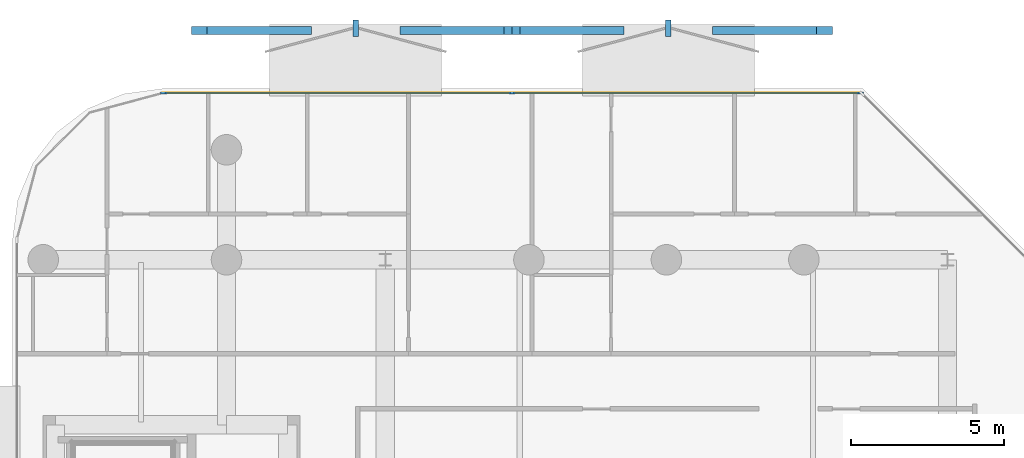
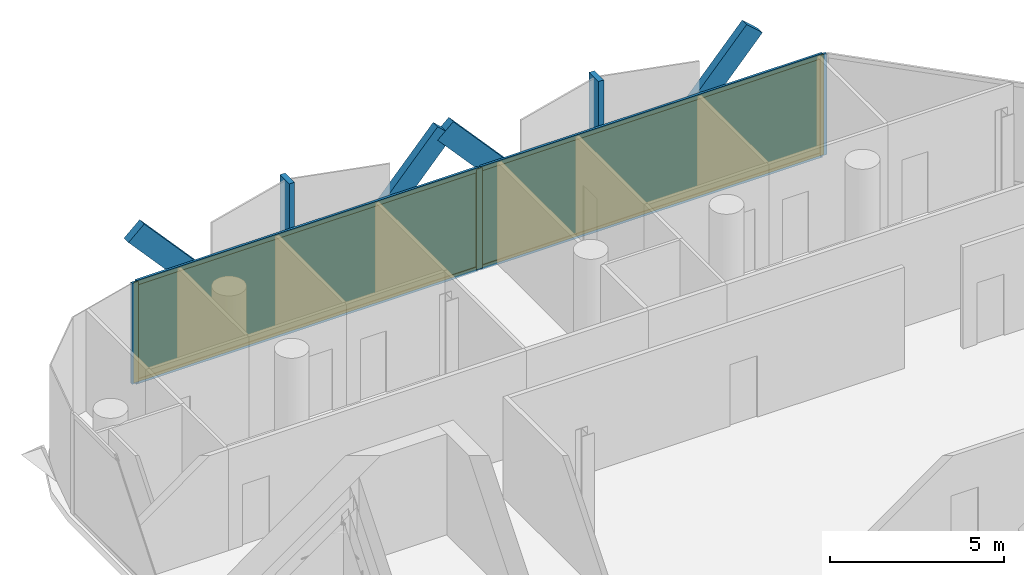
# One storey, part 12 of 17: 13 members, 2 plates, 1 curtain wall.
"""IFC4 building model written with IfcOpenShell, lengths in metres."""

from ifc_helpers import new_model, si_unit, direction, frame, frame_2d, origin, origin_2d, place, context, subcontext, project, spatial, rectangle, extrude, material, layer, layer_set, material_profile, profile_set, type_object, element, aggregate, save


model = new_model("IFC4")

# Units and contexts
model_context = context("Model", 3, precision=1e-05, world=origin(), true_north=direction((0.0, 1.0)))
body_context = subcontext(model_context, "Body", "Model", "MODEL_VIEW")
ifc_project = project(units=[si_unit("LENGTHUNIT", "METRE"), si_unit("AREAUNIT", "SQUARE_METRE"), si_unit("VOLUMEUNIT", "CUBIC_METRE"), si_unit("PLANEANGLEUNIT", "RADIAN"), si_unit("MASSUNIT", "GRAM", prefix="KILO")], contexts=[model_context])

# Member
ifc_material_1 = material(Name="Anodised Bronze Aluminium 6063-T6", Category="aluminium")
ifc_material_profile_1 = material_profile(ifc_material_1, rectangle(XDim=0.260009765625, YDim=0.699951171875, at=origin_2d()))
ifc_profile_set_1 = profile_set([ifc_material_profile_1], Name="Anodised Bronze Aluminium 6063-T6")
member_type_1 = type_object("IfcMemberType", Name="Bronze Diamond Solar-Screen Lattice Rib BDL-700", PredefinedType="MULLION", material=ifc_profile_set_1)
site_placement = place(None, origin())
building_placement = place(site_placement, origin())
storey_placement = place(building_placement, frame((0.0, 0.0, 308.0)))
member_1_placement = place(storey_placement, frame((-8.466552734375, 26.10009765625, -0.1298828125), z_axis=(0.66812969451, 0.0, 0.744044831522), x_axis=(0.0, 1.0, 0.0)))
member_1 = element("IfcMember", 1, at=member_1_placement, type_object=member_type_1, Name="L74 Bronze Diamond Solar Screen Lattice Rib 522A", PredefinedType="MULLION", context=body_context, shape_type="SweptSolid", body=[
    extrude(rectangle(XDim=0.260009765625, YDim=0.699951171875, at=origin_2d()), origin(), (0.0, 0.0, 1.0), 5.10693359375),
])

member_2_placement = place(storey_placement, frame((-11.878662109375, 26.10009765625, -0.1298828125), z_axis=(-0.66812969451, 0.0, 0.744044831522), x_axis=(0.0, -1.0, 0.0)))
member_2 = element("IfcMember", 2, at=member_2_placement, type_object=member_type_1, Name="L74 Bronze Diamond Solar Screen Lattice Rib 522B", PredefinedType="MULLION", context=body_context, shape_type="SweptSolid", body=[
    extrude(rectangle(XDim=0.260009765625, YDim=0.699951171875, at=origin_2d()), origin(), (0.0, 0.0, 1.0), 5.10693359375),
])

member_3_placement = place(storey_placement, frame((1.77001953125, 26.10009765625, -0.1298828125), z_axis=(0.668103227986, 0.0, 0.744068596807), x_axis=(0.0, 1.0, 0.0)))
member_3 = element("IfcMember", 3, at=member_3_placement, type_object=member_type_1, Name="L74 Bronze Diamond Solar Screen Lattice Rib 523A", PredefinedType="MULLION", context=body_context, shape_type="SweptSolid", body=[
    extrude(rectangle(XDim=0.260009765625, YDim=0.699951171875, at=origin_2d()), origin(), (0.0, 0.0, 1.0), 5.106689453125),
])

member_4_placement = place(storey_placement, frame((-1.642333984375, 26.10009765625, -0.1298828125), z_axis=(-0.66812969451, 0.0, 0.744044831522), x_axis=(0.0, -1.0, 0.0)))
member_4 = element("IfcMember", 4, at=member_4_placement, type_object=member_type_1, Name="L74 Bronze Diamond Solar Screen Lattice Rib 523B", PredefinedType="MULLION", context=body_context, shape_type="SweptSolid", body=[
    extrude(rectangle(XDim=0.260009765625, YDim=0.699951171875, at=origin_2d()), origin(), (0.0, 0.0, 1.0), 5.10693359375),
])

ifc_material_2 = material(Name="Anodised Bronze Aluminium 6063-T6", Category="aluminium")
ifc_material_profile_2 = material_profile(ifc_material_2, rectangle(XDim=0.179931640625, YDim=0.5400390625, at=origin_2d()))
ifc_profile_set_2 = profile_set([ifc_material_profile_2], Name="Anodised Bronze Aluminium 6063-T6")
member_type_2 = type_object("IfcMemberType", Name="Bronze Solar-Screen Vertical Fold Fin BSF-540", PredefinedType="MULLION", material=ifc_profile_set_2)
member_5_placement = place(storey_placement, frame((-10.172607421875, 26.179931640625, -0.1298828125), z_axis=(0.0, 0.0, 1.0), x_axis=(1.0, 0.0, 0.0)))
member_5 = element("IfcMember", 5, at=member_5_placement, type_object=member_type_2, Name="L74 Bronze Solar Screen Vertical Fin 522", PredefinedType="MULLION", context=body_context, shape_type="SweptSolid", body=[
    extrude(rectangle(XDim=0.179931640625, YDim=0.5400390625, at=origin_2d()), origin(), (0.0, 0.0, 1.0), 3.7998046875),
])

member_6_placement = place(storey_placement, frame((0.063720703125, 26.179931640625, -0.1298828125), z_axis=(0.0, 0.0, 1.0), x_axis=(1.0, 0.0, 0.0)))
member_6 = element("IfcMember", 6, at=member_6_placement, type_object=member_type_2, Name="L74 Bronze Solar Screen Vertical Fin 523", PredefinedType="MULLION", context=body_context, shape_type="SweptSolid", body=[
    extrude(rectangle(XDim=0.179931640625, YDim=0.5400390625, at=origin_2d()), origin(), (0.0, 0.0, 1.0), 3.7998046875),
])

ifc_material_3 = material(Name="Anodised Bronze Aluminium 6063-T6", Category="aluminium")
ifc_material_profile_3 = material_profile(ifc_material_3, rectangle(XDim=0.074951171875, YDim=0.2099609375, at=origin_2d()))
ifc_profile_set_3 = profile_set([ifc_material_profile_3], Name="Anodised Bronze Aluminium 6063-T6")
member_type_3 = type_object("IfcMemberType", Name="CW-CRN Mullion 75x210", PredefinedType="MULLION", material=ifc_profile_set_3)
member_7_placement = place(storey_placement, frame((-16.453369140625, 24.06005859375, 0.0), z_axis=(0.0, 0.0, 1.0), x_axis=(0.0, 1.0, 0.0)))
member_7 = element("IfcMember", 7, at=member_7_placement, type_object=member_type_3, Name="CW-CRN mullion 1", PredefinedType="MULLION", context=body_context, shape_type="SweptSolid", body=[
    extrude(rectangle(XDim=0.074951171875, YDim=0.2099609375, at=origin_2d()), origin(), (0.0, 0.0, 1.0), 3.5400390625),
])

member_8_placement = place(storey_placement, frame((-5.054443359375, 24.06005859375, 0.0), z_axis=(0.0, 0.0, 1.0), x_axis=(0.0, 1.0, 0.0)))
member_8 = element("IfcMember", 8, at=member_8_placement, type_object=member_type_3, Name="CW-CRN mullion 2", PredefinedType="MULLION", context=body_context, shape_type="SweptSolid", body=[
    extrude(rectangle(XDim=0.074951171875, YDim=0.2099609375, at=origin_2d()), origin(), (0.0, 0.0, 1.0), 3.5400390625),
])

member_9_placement = place(storey_placement, frame((6.344482421875, 24.06005859375, 0.0), z_axis=(0.0, 0.0, 1.0), x_axis=(0.0, 1.0, 0.0)))
member_9 = element("IfcMember", 9, at=member_9_placement, type_object=member_type_3, Name="CW-CRN mullion 3", PredefinedType="MULLION", context=body_context, shape_type="SweptSolid", body=[
    extrude(rectangle(XDim=0.074951171875, YDim=0.2099609375, at=origin_2d()), origin(), (0.0, 0.0, 1.0), 3.5400390625),
])

ifc_material_4 = material(Name="Anodised Bronze Aluminium 6063-T6", Category="aluminium")
ifc_material_profile_4 = material_profile(ifc_material_4, rectangle(XDim=0.074951171875, YDim=0.1650390625, at=origin_2d()))
ifc_profile_set_4 = profile_set([ifc_material_profile_4], Name="Anodised Bronze Aluminium 6063-T6")
member_type_4 = type_object("IfcMemberType", Name="CW-CRN Transom 75x165", PredefinedType="USERDEFINED", material=ifc_profile_set_4)
member_10_placement = place(storey_placement, frame((-16.415771484375, 24.06005859375, 0.03759765625), z_axis=(1.0, 0.0, 0.0), x_axis=(0.0, 1.0, 0.0)))
member_10 = element("IfcMember", 10, at=member_10_placement, type_object=member_type_4, Name="CW-CRN transom 1.1", ObjectType="TRANSOM", PredefinedType="USERDEFINED", context=body_context, shape_type="SweptSolid", body=[
    extrude(rectangle(XDim=0.074951171875, YDim=0.1650390625, at=origin_2d()), origin(), (0.0, 0.0, 1.0), 11.323974609375),
])

member_11_placement = place(storey_placement, frame((-16.415771484375, 24.06005859375, 3.50244140625), z_axis=(1.0, 0.0, 0.0), x_axis=(0.0, 1.0, 0.0)))
member_11 = element("IfcMember", 11, at=member_11_placement, type_object=member_type_4, Name="CW-CRN transom 1.2", ObjectType="TRANSOM", PredefinedType="USERDEFINED", context=body_context, shape_type="SweptSolid", body=[
    extrude(rectangle(XDim=0.074951171875, YDim=0.1650390625, at=origin_2d()), origin(), (0.0, 0.0, 1.0), 11.323974609375),
])

member_12_placement = place(storey_placement, frame((-5.016845703125, 24.06005859375, 0.03759765625), z_axis=(1.0, 0.0, 0.0), x_axis=(0.0, 1.0, 0.0)))
member_12 = element("IfcMember", 12, at=member_12_placement, type_object=member_type_4, Name="CW-CRN transom 2.1", ObjectType="TRANSOM", PredefinedType="USERDEFINED", context=body_context, shape_type="SweptSolid", body=[
    extrude(rectangle(XDim=0.074951171875, YDim=0.1650390625, at=origin_2d()), origin(), (0.0, 0.0, 1.0), 11.32373046875),
])

member_13_placement = place(storey_placement, frame((-5.016845703125, 24.06005859375, 3.50244140625), z_axis=(1.0, 0.0, 0.0), x_axis=(0.0, 1.0, 0.0)))
member_13 = element("IfcMember", 13, at=member_13_placement, type_object=member_type_4, Name="CW-CRN transom 2.2", ObjectType="TRANSOM", PredefinedType="USERDEFINED", context=body_context, shape_type="SweptSolid", body=[
    extrude(rectangle(XDim=0.074951171875, YDim=0.1650390625, at=origin_2d()), origin(), (0.0, 0.0, 1.0), 11.32373046875),
])

# Plate
ifc_material_5 = material(Name="Low-E Solar Control Laminated Glass", Category="glass")
ifc_layer_1 = layer(ifc_material_5, 0.035888671875, Name="Low-E Solar Control Laminated Glass")
ifc_layer_set_1 = layer_set([ifc_layer_1], Name="Low-E Solar Control Laminated Glass")
plate_type = type_object("IfcPlateType", Name="CW-CRN Low-E Double Glazed Panel 36mm", PredefinedType="CURTAIN_PANEL", material=ifc_layer_set_1)
plate_1_placement = place(storey_placement, frame((-10.75390625, 24.06005859375, 0.0751953125), z_axis=(0.0, 0.0, 1.0), x_axis=(1.0, 0.0, 0.0)))
plate_1 = element("IfcPlate", 14, at=plate_1_placement, type_object=plate_type, Name="CW-CRN panel 1.1", PredefinedType="CURTAIN_PANEL", context=body_context, shape_type="SweptSolid", body=[
    extrude(rectangle(XDim=11.323974609375, YDim=0.035888671875, at=origin_2d()), origin(), (0.0, 0.0, 1.0), 3.389892578125),
])

plate_2_placement = place(storey_placement, frame((0.64501953125, 24.06005859375, 0.0751953125), z_axis=(0.0, 0.0, 1.0), x_axis=(1.0, 0.0, 0.0)))
plate_2 = element("IfcPlate", 15, at=plate_2_placement, type_object=plate_type, Name="CW-CRN panel 2.1", PredefinedType="CURTAIN_PANEL", context=body_context, shape_type="SweptSolid", body=[
    extrude(rectangle(XDim=11.323974609375, YDim=0.035888671875, at=origin_2d()), origin(), (0.0, 0.0, 1.0), 3.389892578125),
])

# Site, building, storey
site = spatial("IfcSite", under=ifc_project, at=site_placement, CompositionType="ELEMENT")
building = spatial("IfcBuilding", under=site, at=building_placement, Name="Khairoan Windgate Tower", CompositionType="ELEMENT")
storey = spatial("IfcBuildingStorey", under=building, at=storey_placement, Name="L74", CompositionType="ELEMENT", Elevation=308.0)

# Curtain wall
ifc_material_6 = material(Name="Anodised Bronze Aluminium 6063-T6", Category="aluminium")
ifc_layer_2 = layer(ifc_material_6, 0.2099609375, Name="Anodised Bronze Aluminium 6063-T6")
ifc_layer_set_2 = layer_set([ifc_layer_2], Name="Anodised Bronze Aluminium 6063-T6")
curtain_wall_type = type_object("IfcCurtainWallType", Name="Crown Observation and Vitrine Curtain Wall CW-CRN", PredefinedType="NOTDEFINED", material=ifc_layer_set_2)
curtain_wall_placement = place(storey_placement, frame((-16.49072265625, 24.06005859375, 0.0), z_axis=(0.0, 0.0, 1.0), x_axis=(1.0, 0.0, 0.0)))
curtain_wall = element("IfcCurtainWall", 16, at=curtain_wall_placement, inside=storey, type_object=curtain_wall_type, Name="L74 Unitised Curtain Wall 7", PredefinedType="NOTDEFINED", context=body_context, shape_type="SweptSolid", body=[
    extrude(rectangle(XDim=22.872802734375, YDim=0.010009765625, at=frame_2d((11.4365234375, 0.0))), origin(), (0.0, 0.0, 1.0), 3.5400390625),
])

aggregate(curtain_wall, [member_7, member_8, member_9, member_10, member_11, plate_1, member_12, member_13, plate_2, member_1, member_2, member_5, member_3, member_4, member_6])

save(model, "model.ifc")
